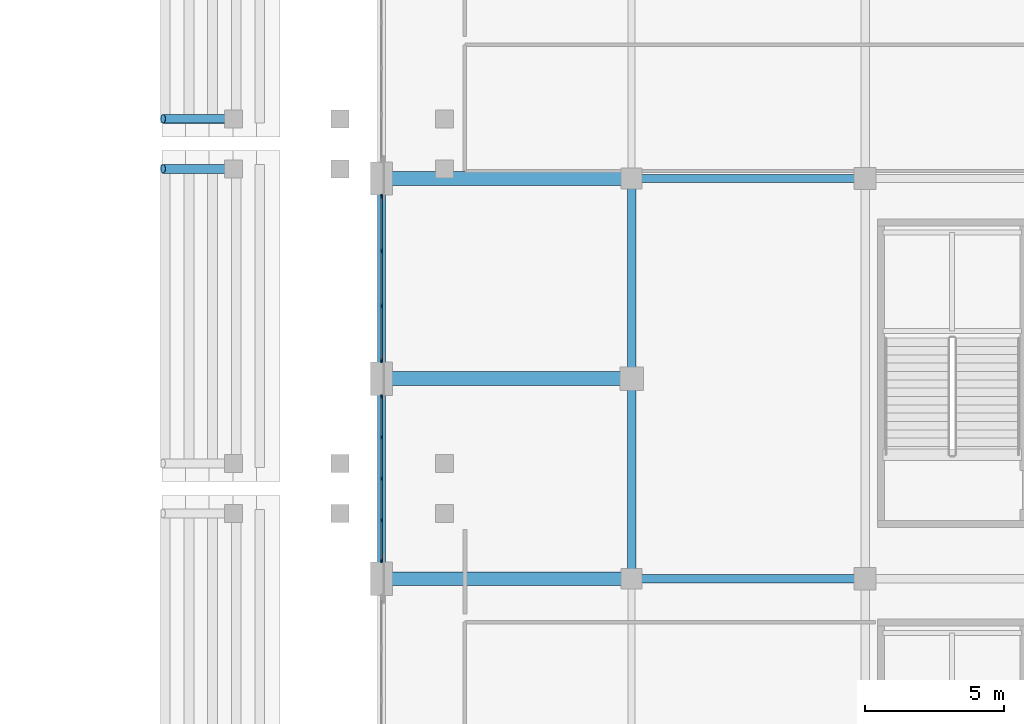
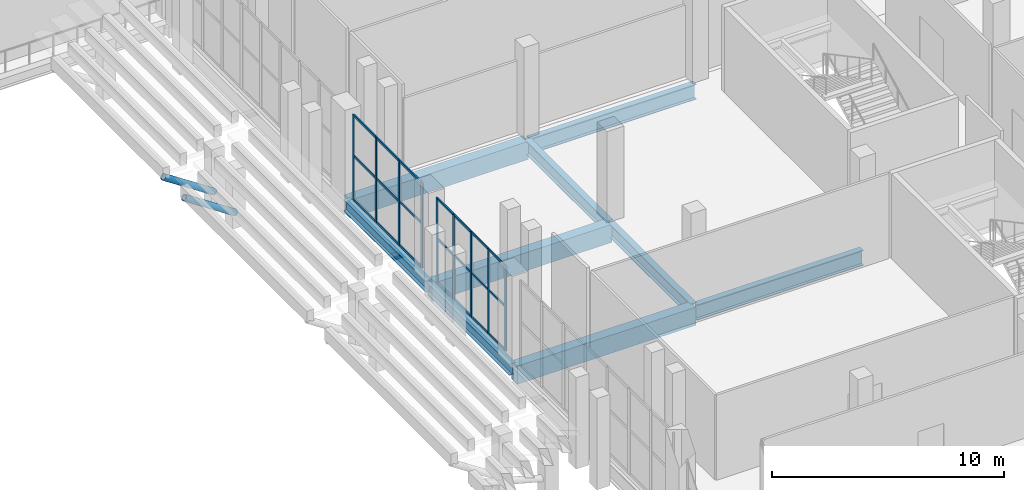
# One storey, part 54 of 142: 32 members, 9 beams, 2 elements without a shape of their own.
"""IFC4 building model written with IfcOpenShell, lengths in metres."""

from ifc_helpers import new_model, si_unit, direction, frame, origin, origin_2d, place, context, subcontext, project, spatial, rectangle, hollow_circle, i_section, extrude, material, material_profile, profile_set, type_object, element, aggregate, save


model = new_model("IFC4")

# Units and contexts
model_context = context("Model", 3, precision=1e-05, world=origin(), true_north=direction((0.0, 1.0)))
body_context = subcontext(model_context, "Body", "Model", "MODEL_VIEW")
ifc_project = project(units=[si_unit("LENGTHUNIT", "METRE"), si_unit("AREAUNIT", "SQUARE_METRE"), si_unit("VOLUMEUNIT", "CUBIC_METRE"), si_unit("PLANEANGLEUNIT", "RADIAN"), si_unit("MASSUNIT", "GRAM", prefix="KILO")], contexts=[model_context])

# Site, building, storey
site_placement = place(None, origin())
site = spatial("IfcSite", under=ifc_project, at=site_placement, CompositionType="ELEMENT")
building_placement = place(site_placement, origin())
building = spatial("IfcBuilding", under=site, at=building_placement, Name="Koshinbarg Plaza Stadium", CompositionType="ELEMENT")
storey_placement = place(building_placement, frame((0.0, 0.0, 10.199951171875)))
storey = spatial("IfcBuildingStorey", under=building, at=storey_placement, Name="L02", CompositionType="ELEMENT", Elevation=10.199951171875)

# Beams
ifc_material_1 = material(Name="Concrete C40/50", Category="concrete")
ifc_material_profile_1 = material_profile(ifc_material_1, rectangle(XDim=0.5, YDim=0.949951171875, at=origin_2d()), Name="RC 500x950")
ifc_profile_set_1 = profile_set([ifc_material_profile_1], Name="Concrete C40/50")
beam_type_1 = type_object("IfcBeamType", Name="BM-RCG-06", PredefinedType="USERDEFINED", material=ifc_profile_set_1)
for number, where, z_axis, x_axis, name in (
    (1, (180.4599609375, 97.5, -0.77490234375), (1.0, 0.0, 0.0), (0.0, 1.0, 0.0), "L02 X girder N/17-18"),
    (2, (180.4599609375, 104.699951171875, -0.77490234375), (1.0, 0.0, 0.0), (0.0, 1.0, 0.0), "L02 X girder P/17-18"),
    (3, (180.4599609375, 111.89990234375, -0.77490234375), (1.0, 0.0, 0.0), (0.0, 1.0, 0.0), "L02 X girder Q/17-18"),
):
    element("IfcBeam", number, at=place(storey_placement, frame(where, z_axis=z_axis, x_axis=x_axis)), inside=storey, type_object=beam_type_1, Name=name, ObjectType="GIRDER", PredefinedType="USERDEFINED", context=body_context, shape_type="SweptSolid", body=[
        extrude(rectangle(XDim=0.5, YDim=0.949951171875, at=origin_2d()), origin(), (0.0, 0.0, 1.0), 8.880126953125),
    ])
ifc_material_2 = material(Name="Steel S355", Category="steel")
ifc_material_profile_2 = material_profile(ifc_material_2, i_section(OverallWidth=0.300048828125, OverallDepth=0.60009765625, WebThickness=0.015380859375, FlangeThickness=0.030029296875, at=origin_2d()), Name="HEB 600")
ifc_profile_set_2 = profile_set([ifc_material_profile_2], Name="Steel S355")
beam_type_2 = type_object("IfcBeamType", Name="BM-SGIR-02", PredefinedType="USERDEFINED", material=ifc_profile_set_2)
beam_1_placement = place(storey_placement, frame((180.39990234375, 97.56005859375, -0.599853515625), z_axis=(0.0, 1.0, 0.0), x_axis=(-1.0, 0.0, 0.0)))
element("IfcBeam", 4, at=beam_1_placement, inside=storey, type_object=beam_type_2, Name="L02 Y girder 17/N-P", ObjectType="GIRDER", PredefinedType="USERDEFINED", context=body_context, shape_type="SweptSolid", body=[
    extrude(i_section(OverallWidth=0.300048828125, OverallDepth=0.60009765625, WebThickness=0.015380859375, FlangeThickness=0.030029296875, at=origin_2d()), origin(), (0.0, 0.0, 1.0), 7.079833984375),
])
beam_2_placement = place(storey_placement, frame((180.39990234375, 104.760009765625, -0.599853515625), z_axis=(0.0, 1.0, 0.0), x_axis=(-1.0, 0.0, 0.0)))
element("IfcBeam", 5, at=beam_2_placement, inside=storey, type_object=beam_type_2, Name="L02 Y girder 17/P-Q", ObjectType="GIRDER", PredefinedType="USERDEFINED", context=body_context, shape_type="SweptSolid", body=[
    extrude(i_section(OverallWidth=0.300048828125, OverallDepth=0.60009765625, WebThickness=0.015380859375, FlangeThickness=0.030029296875, at=origin_2d()), origin(), (0.0, 0.0, 1.0), 7.080078125),
])
ifc_material_profile_3 = material_profile(ifc_material_2, i_section(OverallWidth=0.300048828125, OverallDepth=0.699951171875, WebThickness=0.01708984375, FlangeThickness=0.031982421875, at=origin_2d()), Name="HEB 700")
ifc_profile_set_3 = profile_set([ifc_material_profile_3], Name="Steel S355")
beam_type_3 = type_object("IfcBeamType", Name="BM-SGIR-03", PredefinedType="USERDEFINED", material=ifc_profile_set_3)
beam_3_placement = place(storey_placement, frame((189.39990234375, 97.56005859375, -0.64990234375), z_axis=(0.0, 1.0, 0.0), x_axis=(-1.0, 0.0, 0.0)))
element("IfcBeam", 6, at=beam_3_placement, inside=storey, type_object=beam_type_3, Name="L02 Y girder 18/N-P", ObjectType="GIRDER", PredefinedType="USERDEFINED", context=body_context, shape_type="SweptSolid", body=[
    extrude(i_section(OverallWidth=0.300048828125, OverallDepth=0.699951171875, WebThickness=0.01708984375, FlangeThickness=0.031982421875, at=origin_2d()), origin(), (0.0, 0.0, 1.0), 7.079833984375),
])
beam_4_placement = place(storey_placement, frame((189.39990234375, 104.760009765625, -0.64990234375), z_axis=(0.0, 1.0, 0.0), x_axis=(-1.0, 0.0, 0.0)))
element("IfcBeam", 7, at=beam_4_placement, inside=storey, type_object=beam_type_3, Name="L02 Y girder 18/P-Q", ObjectType="GIRDER", PredefinedType="USERDEFINED", context=body_context, shape_type="SweptSolid", body=[
    extrude(i_section(OverallWidth=0.300048828125, OverallDepth=0.699951171875, WebThickness=0.01708984375, FlangeThickness=0.031982421875, at=origin_2d()), origin(), (0.0, 0.0, 1.0), 7.080078125),
])
ifc_material_profile_4 = material_profile(ifc_material_2, i_section(OverallWidth=0.300048828125, OverallDepth=0.800048828125, WebThickness=0.017578125, FlangeThickness=0.032958984375, at=origin_2d()), Name="HEB 800")
ifc_profile_set_4 = profile_set([ifc_material_profile_4], Name="Steel S355")
beam_type_4 = type_object("IfcBeamType", Name="BM-SGIR-04", PredefinedType="USERDEFINED", material=ifc_profile_set_4)
for number, where, z_axis, x_axis, name in (
    (8, (189.4599609375, 97.5, -0.699951171875), (1.0, 0.0, 0.0), (0.0, 1.0, 0.0), "L02 X girder N/18-19"),
    (9, (189.4599609375, 111.89990234375, -0.699951171875), (1.0, 0.0, 0.0), (0.0, 1.0, 0.0), "L02 X girder Q/18-19"),
):
    element("IfcBeam", number, at=place(storey_placement, frame(where, z_axis=z_axis, x_axis=x_axis)), inside=storey, type_object=beam_type_4, Name=name, ObjectType="GIRDER", PredefinedType="USERDEFINED", context=body_context, shape_type="SweptSolid", body=[
        extrude(i_section(OverallWidth=0.300048828125, OverallDepth=0.800048828125, WebThickness=0.017578125, FlangeThickness=0.032958984375, at=origin_2d()), origin(), (0.0, 0.0, 1.0), 8.280029296875),
    ])

# Curtain wall, members
ifc_material_3 = material(Name="Thermally broken anodised aluminium and low-E double glazing", Category="aluminium")
curtain_wall_type_1 = type_object("IfcCurtainWallType", Name="CW-SYS-09", PredefinedType="NOTDEFINED", material=ifc_material_3)
curtain_wall_1_placement = place(storey_placement, origin())
curtain_wall_1 = element("IfcCurtainWall", 10, at=curtain_wall_1_placement, inside=storey, type_object=curtain_wall_type_1, Name="L02 unitised curtain wall CW-L02-088", PredefinedType="NOTDEFINED")
ifc_material_4 = material(Name="Anodised aluminium mullion", Category="aluminium")
ifc_material_profile_5 = material_profile(ifc_material_4, rectangle(XDim=0.06005859375, YDim=0.139892578125, at=origin_2d()), Name="ALU 60x140")
ifc_profile_set_5 = profile_set([ifc_material_profile_5], Name="Anodised aluminium mullion")
member_type_1 = type_object("IfcMemberType", Name="CW-MUL-01", PredefinedType="MULLION", material=ifc_profile_set_5)
member_1_placement = place(storey_placement, frame((180.39990234375, 98.14990234375, 0.0), z_axis=(0.0, 0.0, 1.0), x_axis=(-1.0, 0.0, 0.0)))
member_1 = element("IfcMember", 11, at=member_1_placement, type_object=member_type_1, Name="CW09 mullion 1", PredefinedType="MULLION", context=body_context, shape_type="SweptSolid", body=[
    extrude(rectangle(XDim=0.06005859375, YDim=0.139892578125, at=origin_2d()), origin(), (0.0, 0.0, 1.0), 4.47998046875),
])
member_2_placement = place(storey_placement, frame((180.39990234375, 99.610107421875, 0.0), z_axis=(0.0, 0.0, 1.0), x_axis=(-1.0, 0.0, 0.0)))
member_2 = element("IfcMember", 12, at=member_2_placement, type_object=member_type_1, Name="CW09 mullion 2", PredefinedType="MULLION", context=body_context, shape_type="SweptSolid", body=[
    extrude(rectangle(XDim=0.06005859375, YDim=0.139892578125, at=origin_2d()), origin(), (0.0, 0.0, 1.0), 4.47998046875),
])
member_3_placement = place(storey_placement, frame((180.39990234375, 101.10009765625, 0.0), z_axis=(0.0, 0.0, 1.0), x_axis=(-1.0, 0.0, 0.0)))
member_3 = element("IfcMember", 13, at=member_3_placement, type_object=member_type_1, Name="CW09 mullion 3", PredefinedType="MULLION", context=body_context, shape_type="SweptSolid", body=[
    extrude(rectangle(XDim=0.06005859375, YDim=0.139892578125, at=origin_2d()), origin(), (0.0, 0.0, 1.0), 4.47998046875),
])
member_4_placement = place(storey_placement, frame((180.39990234375, 102.590087890625, 0.0), z_axis=(0.0, 0.0, 1.0), x_axis=(-1.0, 0.0, 0.0)))
member_4 = element("IfcMember", 14, at=member_4_placement, type_object=member_type_1, Name="CW09 mullion 4", PredefinedType="MULLION", context=body_context, shape_type="SweptSolid", body=[
    extrude(rectangle(XDim=0.06005859375, YDim=0.139892578125, at=origin_2d()), origin(), (0.0, 0.0, 1.0), 4.47998046875),
])
member_5_placement = place(storey_placement, frame((180.39990234375, 104.050048828125, 0.0), z_axis=(0.0, 0.0, 1.0), x_axis=(-1.0, 0.0, 0.0)))
member_5 = element("IfcMember", 15, at=member_5_placement, type_object=member_type_1, Name="CW09 mullion 5", PredefinedType="MULLION", context=body_context, shape_type="SweptSolid", body=[
    extrude(rectangle(XDim=0.06005859375, YDim=0.139892578125, at=origin_2d()), origin(), (0.0, 0.0, 1.0), 4.47998046875),
])

curtain_wall_type_2 = type_object("IfcCurtainWallType", Name="CW-SYS-10", PredefinedType="NOTDEFINED", material=ifc_material_3)
curtain_wall_2_placement = place(storey_placement, origin())
curtain_wall_2 = element("IfcCurtainWall", 16, at=curtain_wall_2_placement, inside=storey, type_object=curtain_wall_type_2, Name="L02 unitised curtain wall CW-L02-089", PredefinedType="NOTDEFINED")
ifc_material_profile_6 = material_profile(ifc_material_4, rectangle(XDim=0.06005859375, YDim=0.159912109375, at=origin_2d()), Name="ALU 60x160")
ifc_profile_set_6 = profile_set([ifc_material_profile_6], Name="Anodised aluminium mullion")
member_type_2 = type_object("IfcMemberType", Name="CW-MUL-02", PredefinedType="MULLION", material=ifc_profile_set_6)
member_6_placement = place(storey_placement, frame((180.39990234375, 105.35009765625, 0.0), z_axis=(0.0, 0.0, 1.0), x_axis=(-1.0, 0.0, 0.0)))
member_6 = element("IfcMember", 17, at=member_6_placement, type_object=member_type_2, Name="CW10 mullion 1", PredefinedType="MULLION", context=body_context, shape_type="SweptSolid", body=[
    extrude(rectangle(XDim=0.06005859375, YDim=0.159912109375, at=origin_2d()), origin(), (0.0, 0.0, 1.0), 4.47998046875),
])
member_7_placement = place(storey_placement, frame((180.39990234375, 107.306640625, 0.0), z_axis=(0.0, 0.0, 1.0), x_axis=(-1.0, 0.0, 0.0)))
member_7 = element("IfcMember", 18, at=member_7_placement, type_object=member_type_2, Name="CW10 mullion 2", PredefinedType="MULLION", context=body_context, shape_type="SweptSolid", body=[
    extrude(rectangle(XDim=0.06005859375, YDim=0.159912109375, at=origin_2d()), origin(), (0.0, 0.0, 1.0), 4.47998046875),
])
member_8_placement = place(storey_placement, frame((180.39990234375, 109.293212890625, 0.0), z_axis=(0.0, 0.0, 1.0), x_axis=(-1.0, 0.0, 0.0)))
member_8 = element("IfcMember", 19, at=member_8_placement, type_object=member_type_2, Name="CW10 mullion 3", PredefinedType="MULLION", context=body_context, shape_type="SweptSolid", body=[
    extrude(rectangle(XDim=0.06005859375, YDim=0.159912109375, at=origin_2d()), origin(), (0.0, 0.0, 1.0), 4.47998046875),
])
member_9_placement = place(storey_placement, frame((180.39990234375, 111.25, 0.0), z_axis=(0.0, 0.0, 1.0), x_axis=(-1.0, 0.0, 0.0)))
member_9 = element("IfcMember", 20, at=member_9_placement, type_object=member_type_2, Name="CW10 mullion 4", PredefinedType="MULLION", context=body_context, shape_type="SweptSolid", body=[
    extrude(rectangle(XDim=0.06005859375, YDim=0.159912109375, at=origin_2d()), origin(), (0.0, 0.0, 1.0), 4.47998046875),
])

# Member
ifc_material_5 = material(Name="Anodised aluminium transom", Category="aluminium")
ifc_material_profile_7 = material_profile(ifc_material_5, rectangle(XDim=0.06005859375, YDim=0.110107421875, at=origin_2d()), Name="ALU 60x110")
ifc_profile_set_7 = profile_set([ifc_material_profile_7], Name="Anodised aluminium transom")
member_type_3 = type_object("IfcMemberType", Name="CW-TRN-01", PredefinedType="USERDEFINED", material=ifc_profile_set_7)
member_10_placement = place(storey_placement, frame((180.39990234375, 98.179931640625, 0.030029296875), z_axis=(0.0, 1.0, 0.0), x_axis=(-1.0, 0.0, 0.0)))
member_10 = element("IfcMember", 21, at=member_10_placement, type_object=member_type_3, Name="CW09 transom 1.1", ObjectType="TRANSOM", PredefinedType="USERDEFINED", context=body_context, shape_type="SweptSolid", body=[
    extrude(rectangle(XDim=0.06005859375, YDim=0.110107421875, at=origin_2d()), origin(), (0.0, 0.0, 1.0), 1.400146484375),
])

member_11_placement = place(storey_placement, frame((180.39990234375, 98.179931640625, 2.32958984375), z_axis=(0.0, 1.0, 0.0), x_axis=(-1.0, 0.0, 0.0)))
member_11 = element("IfcMember", 22, at=member_11_placement, type_object=member_type_3, Name="CW09 transom 1.2", ObjectType="TRANSOM", PredefinedType="USERDEFINED", context=body_context, shape_type="SweptSolid", body=[
    extrude(rectangle(XDim=0.06005859375, YDim=0.110107421875, at=origin_2d()), origin(), (0.0, 0.0, 1.0), 1.400146484375),
])

member_12_placement = place(storey_placement, frame((180.39990234375, 98.179931640625, 4.449951171875), z_axis=(0.0, 1.0, 0.0), x_axis=(-1.0, 0.0, 0.0)))
member_12 = element("IfcMember", 23, at=member_12_placement, type_object=member_type_3, Name="CW09 transom 1.3", ObjectType="TRANSOM", PredefinedType="USERDEFINED", context=body_context, shape_type="SweptSolid", body=[
    extrude(rectangle(XDim=0.06005859375, YDim=0.110107421875, at=origin_2d()), origin(), (0.0, 0.0, 1.0), 1.400146484375),
])

member_13_placement = place(storey_placement, frame((180.39990234375, 99.639892578125, 0.030029296875), z_axis=(0.0, 1.0, 0.0), x_axis=(-1.0, 0.0, 0.0)))
member_13 = element("IfcMember", 24, at=member_13_placement, type_object=member_type_3, Name="CW09 transom 2.1", ObjectType="TRANSOM", PredefinedType="USERDEFINED", context=body_context, shape_type="SweptSolid", body=[
    extrude(rectangle(XDim=0.06005859375, YDim=0.110107421875, at=origin_2d()), origin(), (0.0, 0.0, 1.0), 1.43017578125),
])

member_14_placement = place(storey_placement, frame((180.39990234375, 99.639892578125, 2.32958984375), z_axis=(0.0, 1.0, 0.0), x_axis=(-1.0, 0.0, 0.0)))
member_14 = element("IfcMember", 25, at=member_14_placement, type_object=member_type_3, Name="CW09 transom 2.2", ObjectType="TRANSOM", PredefinedType="USERDEFINED", context=body_context, shape_type="SweptSolid", body=[
    extrude(rectangle(XDim=0.06005859375, YDim=0.110107421875, at=origin_2d()), origin(), (0.0, 0.0, 1.0), 1.43017578125),
])

member_15_placement = place(storey_placement, frame((180.39990234375, 99.639892578125, 4.449951171875), z_axis=(0.0, 1.0, 0.0), x_axis=(-1.0, 0.0, 0.0)))
member_15 = element("IfcMember", 26, at=member_15_placement, type_object=member_type_3, Name="CW09 transom 2.3", ObjectType="TRANSOM", PredefinedType="USERDEFINED", context=body_context, shape_type="SweptSolid", body=[
    extrude(rectangle(XDim=0.06005859375, YDim=0.110107421875, at=origin_2d()), origin(), (0.0, 0.0, 1.0), 1.43017578125),
])

member_16_placement = place(storey_placement, frame((180.39990234375, 101.1298828125, 0.030029296875), z_axis=(0.0, 1.0, 0.0), x_axis=(-1.0, 0.0, 0.0)))
member_16 = element("IfcMember", 27, at=member_16_placement, type_object=member_type_3, Name="CW09 transom 3.1", ObjectType="TRANSOM", PredefinedType="USERDEFINED", context=body_context, shape_type="SweptSolid", body=[
    extrude(rectangle(XDim=0.06005859375, YDim=0.110107421875, at=origin_2d()), origin(), (0.0, 0.0, 1.0), 1.43017578125),
])

member_17_placement = place(storey_placement, frame((180.39990234375, 101.1298828125, 2.32958984375), z_axis=(0.0, 1.0, 0.0), x_axis=(-1.0, 0.0, 0.0)))
member_17 = element("IfcMember", 28, at=member_17_placement, type_object=member_type_3, Name="CW09 transom 3.2", ObjectType="TRANSOM", PredefinedType="USERDEFINED", context=body_context, shape_type="SweptSolid", body=[
    extrude(rectangle(XDim=0.06005859375, YDim=0.110107421875, at=origin_2d()), origin(), (0.0, 0.0, 1.0), 1.43017578125),
])

member_18_placement = place(storey_placement, frame((180.39990234375, 101.1298828125, 4.449951171875), z_axis=(0.0, 1.0, 0.0), x_axis=(-1.0, 0.0, 0.0)))
member_18 = element("IfcMember", 29, at=member_18_placement, type_object=member_type_3, Name="CW09 transom 3.3", ObjectType="TRANSOM", PredefinedType="USERDEFINED", context=body_context, shape_type="SweptSolid", body=[
    extrude(rectangle(XDim=0.06005859375, YDim=0.110107421875, at=origin_2d()), origin(), (0.0, 0.0, 1.0), 1.43017578125),
])

member_19_placement = place(storey_placement, frame((180.39990234375, 102.6201171875, 0.030029296875), z_axis=(0.0, 1.0, 0.0), x_axis=(-1.0, 0.0, 0.0)))
member_19 = element("IfcMember", 30, at=member_19_placement, type_object=member_type_3, Name="CW09 transom 4.1", ObjectType="TRANSOM", PredefinedType="USERDEFINED", context=body_context, shape_type="SweptSolid", body=[
    extrude(rectangle(XDim=0.06005859375, YDim=0.110107421875, at=origin_2d()), origin(), (0.0, 0.0, 1.0), 1.39990234375),
])

member_20_placement = place(storey_placement, frame((180.39990234375, 102.6201171875, 2.32958984375), z_axis=(0.0, 1.0, 0.0), x_axis=(-1.0, 0.0, 0.0)))
member_20 = element("IfcMember", 31, at=member_20_placement, type_object=member_type_3, Name="CW09 transom 4.2", ObjectType="TRANSOM", PredefinedType="USERDEFINED", context=body_context, shape_type="SweptSolid", body=[
    extrude(rectangle(XDim=0.06005859375, YDim=0.110107421875, at=origin_2d()), origin(), (0.0, 0.0, 1.0), 1.39990234375),
])

member_21_placement = place(storey_placement, frame((180.39990234375, 102.6201171875, 4.449951171875), z_axis=(0.0, 1.0, 0.0), x_axis=(-1.0, 0.0, 0.0)))
member_21 = element("IfcMember", 32, at=member_21_placement, type_object=member_type_3, Name="CW09 transom 4.3", ObjectType="TRANSOM", PredefinedType="USERDEFINED", context=body_context, shape_type="SweptSolid", body=[
    extrude(rectangle(XDim=0.06005859375, YDim=0.110107421875, at=origin_2d()), origin(), (0.0, 0.0, 1.0), 1.39990234375),
])

aggregate(curtain_wall_1, [member_1, member_2, member_3, member_4, member_5, member_10, member_11, member_12, member_13, member_14, member_15, member_16, member_17, member_18, member_19, member_20, member_21])

ifc_material_profile_8 = material_profile(ifc_material_5, rectangle(XDim=0.06005859375, YDim=0.1298828125, at=origin_2d()), Name="ALU 60x130")
ifc_profile_set_8 = profile_set([ifc_material_profile_8], Name="Anodised aluminium transom")
member_type_4 = type_object("IfcMemberType", Name="CW-TRN-02", PredefinedType="USERDEFINED", material=ifc_profile_set_8)
member_22_placement = place(storey_placement, frame((180.39990234375, 105.3798828125, 0.030029296875), z_axis=(0.0, 1.0, 0.0), x_axis=(-1.0, 0.0, 0.0)))
member_22 = element("IfcMember", 33, at=member_22_placement, type_object=member_type_4, Name="CW10 transom 1.1", ObjectType="TRANSOM", PredefinedType="USERDEFINED", context=body_context, shape_type="SweptSolid", body=[
    extrude(rectangle(XDim=0.06005859375, YDim=0.1298828125, at=origin_2d()), origin(), (0.0, 0.0, 1.0), 1.896728515625),
])

member_23_placement = place(storey_placement, frame((180.39990234375, 105.3798828125, 2.32958984375), z_axis=(0.0, 1.0, 0.0), x_axis=(-1.0, 0.0, 0.0)))
member_23 = element("IfcMember", 34, at=member_23_placement, type_object=member_type_4, Name="CW10 transom 1.2", ObjectType="TRANSOM", PredefinedType="USERDEFINED", context=body_context, shape_type="SweptSolid", body=[
    extrude(rectangle(XDim=0.06005859375, YDim=0.1298828125, at=origin_2d()), origin(), (0.0, 0.0, 1.0), 1.896728515625),
])

member_24_placement = place(storey_placement, frame((180.39990234375, 105.3798828125, 4.449951171875), z_axis=(0.0, 1.0, 0.0), x_axis=(-1.0, 0.0, 0.0)))
member_24 = element("IfcMember", 35, at=member_24_placement, type_object=member_type_4, Name="CW10 transom 1.3", ObjectType="TRANSOM", PredefinedType="USERDEFINED", context=body_context, shape_type="SweptSolid", body=[
    extrude(rectangle(XDim=0.06005859375, YDim=0.1298828125, at=origin_2d()), origin(), (0.0, 0.0, 1.0), 1.896728515625),
])

member_25_placement = place(storey_placement, frame((180.39990234375, 107.336669921875, 0.030029296875), z_axis=(0.0, 1.0, 0.0), x_axis=(-1.0, 0.0, 0.0)))
member_25 = element("IfcMember", 36, at=member_25_placement, type_object=member_type_4, Name="CW10 transom 2.1", ObjectType="TRANSOM", PredefinedType="USERDEFINED", context=body_context, shape_type="SweptSolid", body=[
    extrude(rectangle(XDim=0.06005859375, YDim=0.1298828125, at=origin_2d()), origin(), (0.0, 0.0, 1.0), 1.9267578125),
])

member_26_placement = place(storey_placement, frame((180.39990234375, 107.336669921875, 2.32958984375), z_axis=(0.0, 1.0, 0.0), x_axis=(-1.0, 0.0, 0.0)))
member_26 = element("IfcMember", 37, at=member_26_placement, type_object=member_type_4, Name="CW10 transom 2.2", ObjectType="TRANSOM", PredefinedType="USERDEFINED", context=body_context, shape_type="SweptSolid", body=[
    extrude(rectangle(XDim=0.06005859375, YDim=0.1298828125, at=origin_2d()), origin(), (0.0, 0.0, 1.0), 1.9267578125),
])

member_27_placement = place(storey_placement, frame((180.39990234375, 107.336669921875, 4.449951171875), z_axis=(0.0, 1.0, 0.0), x_axis=(-1.0, 0.0, 0.0)))
member_27 = element("IfcMember", 38, at=member_27_placement, type_object=member_type_4, Name="CW10 transom 2.3", ObjectType="TRANSOM", PredefinedType="USERDEFINED", context=body_context, shape_type="SweptSolid", body=[
    extrude(rectangle(XDim=0.06005859375, YDim=0.1298828125, at=origin_2d()), origin(), (0.0, 0.0, 1.0), 1.9267578125),
])

member_28_placement = place(storey_placement, frame((180.39990234375, 109.3232421875, 0.030029296875), z_axis=(0.0, 1.0, 0.0), x_axis=(-1.0, 0.0, 0.0)))
member_28 = element("IfcMember", 39, at=member_28_placement, type_object=member_type_4, Name="CW10 transom 3.1", ObjectType="TRANSOM", PredefinedType="USERDEFINED", context=body_context, shape_type="SweptSolid", body=[
    extrude(rectangle(XDim=0.06005859375, YDim=0.1298828125, at=origin_2d()), origin(), (0.0, 0.0, 1.0), 1.896728515625),
])

member_29_placement = place(storey_placement, frame((180.39990234375, 109.3232421875, 2.32958984375), z_axis=(0.0, 1.0, 0.0), x_axis=(-1.0, 0.0, 0.0)))
member_29 = element("IfcMember", 40, at=member_29_placement, type_object=member_type_4, Name="CW10 transom 3.2", ObjectType="TRANSOM", PredefinedType="USERDEFINED", context=body_context, shape_type="SweptSolid", body=[
    extrude(rectangle(XDim=0.06005859375, YDim=0.1298828125, at=origin_2d()), origin(), (0.0, 0.0, 1.0), 1.896728515625),
])

member_30_placement = place(storey_placement, frame((180.39990234375, 109.3232421875, 4.449951171875), z_axis=(0.0, 1.0, 0.0), x_axis=(-1.0, 0.0, 0.0)))
member_30 = element("IfcMember", 41, at=member_30_placement, type_object=member_type_4, Name="CW10 transom 3.3", ObjectType="TRANSOM", PredefinedType="USERDEFINED", context=body_context, shape_type="SweptSolid", body=[
    extrude(rectangle(XDim=0.06005859375, YDim=0.1298828125, at=origin_2d()), origin(), (0.0, 0.0, 1.0), 1.896728515625),
])

aggregate(curtain_wall_2, [member_6, member_7, member_8, member_9, member_22, member_23, member_24, member_25, member_26, member_27, member_28, member_29, member_30])

# Members
ifc_material_profile_9 = material_profile(ifc_material_2, hollow_circle(Radius=0.161865234375, WallThickness=0.01416015625, at=origin_2d()), Name="CHS 323.9x14.2")
ifc_profile_set_9 = profile_set([ifc_material_profile_9], Name="Steel S355")
member_type_5 = type_object("IfcMemberType", Name="MB-BRACE-01", PredefinedType="BRACE", material=ifc_profile_set_9)
for number, where, z_axis, x_axis, name in (
    (42, (175.080078125, 112.25, 0.582763671875), (-0.8349280335, 0.0, 0.550359136269), (0.0, -1.0, 0.0), "Upper tier cantilever knee strut UT-E07-R"),
    (43, (175.080078125, 114.050048828125, 0.582763671875), (-0.8349280335, 0.0, 0.550359136269), (0.0, -1.0, 0.0), "Upper tier cantilever knee strut UT-E08-L"),
):
    element("IfcMember", number, at=place(storey_placement, frame(where, z_axis=z_axis, x_axis=x_axis)), inside=storey, type_object=member_type_5, Name=name, PredefinedType="BRACE", context=body_context, shape_type="SweptSolid", body=[
        extrude(hollow_circle(Radius=0.161865234375, WallThickness=0.01416015625, at=origin_2d()), origin(), (0.0, 0.0, 1.0), 3.042236328125),
    ])

save(model, "model.ifc")
